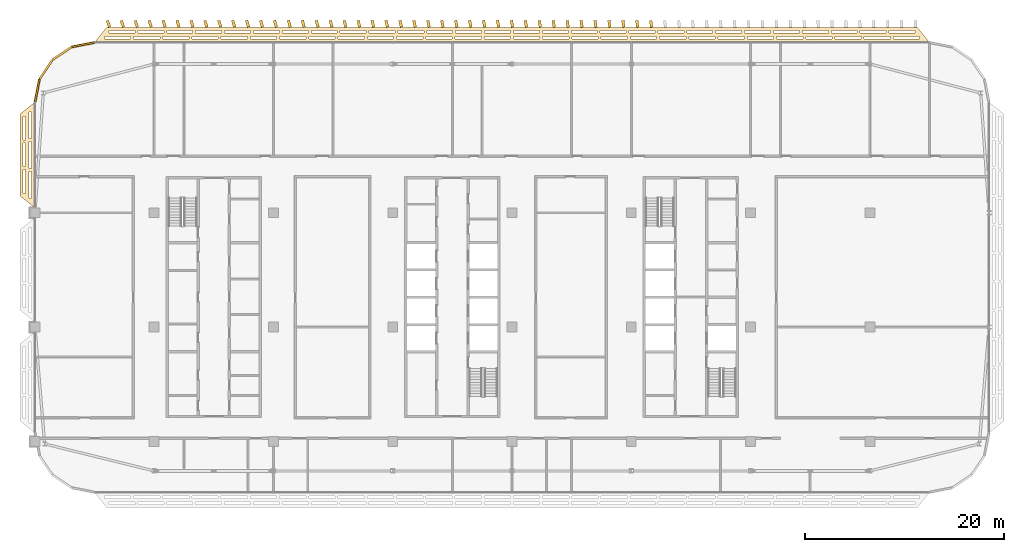
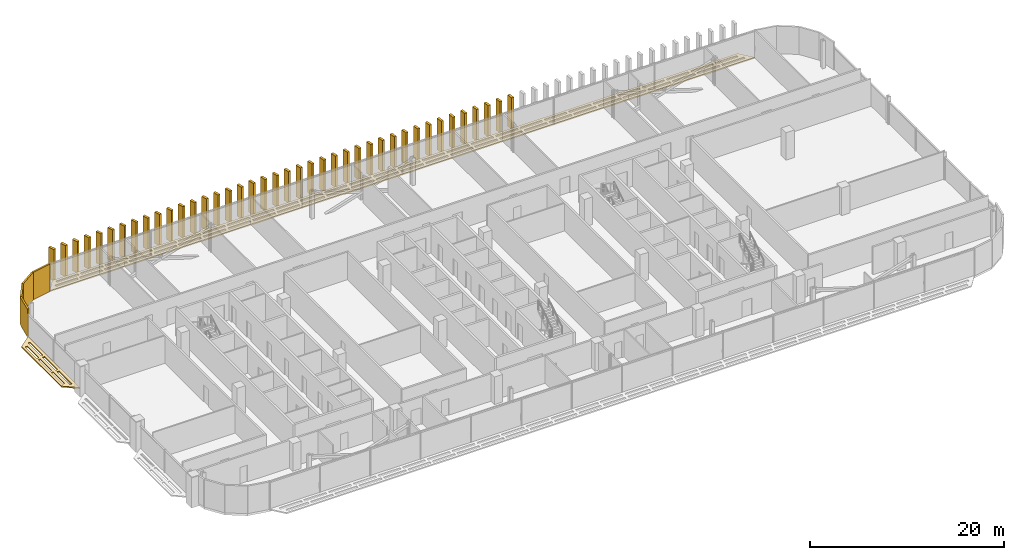
# One storey, part 30 of 32: 46 coverings.
"""IFC4 building model written with IfcOpenShell, lengths in metres."""

from ifc_helpers import new_model, si_unit, direction, frame, origin, origin_2d, place, context, subcontext, project, spatial, polyline, rectangle, outline, extrude, material, layer, layer_set, type_object, element, save


model = new_model("IFC4")

# Units and contexts
model_context = context("Model", 3, precision=1e-05, world=origin(), true_north=direction((0.0, 1.0)))
body_context = subcontext(model_context, "Body", "Model", "MODEL_VIEW")
ifc_project = project(units=[si_unit("LENGTHUNIT", "METRE"), si_unit("AREAUNIT", "SQUARE_METRE"), si_unit("VOLUMEUNIT", "CUBIC_METRE"), si_unit("PLANEANGLEUNIT", "RADIAN"), si_unit("MASSUNIT", "GRAM", prefix="KILO")], contexts=[model_context])

# Site, building, storey
site_placement = place(None, origin())
site = spatial("IfcSite", under=ifc_project, at=site_placement, CompositionType="ELEMENT")
building_placement = place(site_placement, origin())
building = spatial("IfcBuilding", under=site, at=building_placement, Name="Mahtab Terrace Research Tower", CompositionType="ELEMENT")
storey_placement = place(building_placement, frame((0.0, 0.0, 232.39990234375)))
storey = spatial("IfcBuildingStorey", under=building, at=storey_placement, Name="L56", CompositionType="ELEMENT", Elevation=232.39990234375)

# Coverings
ifc_material_1 = material(Name="Black aluminium cladding panel", Category="aluminium")
ifc_layer_1 = layer(ifc_material_1, 0.199951171875)
ifc_layer_set_1 = layer_set([ifc_layer_1], Name="Black metal corner cladding 200")
covering_type_1 = type_object("IfcCoveringType", Name="Black metal corner cladding 200", PredefinedType="CLADDING", material=ifc_layer_set_1)
for number, where, z_axis, x_axis, name in (
    (1, (-37.14794921875, 28.410400390625, 0.0), (0.0, 0.0, 1.0), (-0.980760981187, -0.195212442692, 0.0), "Corner cladding L56 4"),
    (2, (-39.26953125, 27.531982421875, 0.0), (0.0, 0.0, 1.0), (-0.831655794326, -0.555291490808, 0.0), "Corner cladding L56 5"),
    (3, (-40.89306640625, 25.908447265625, 0.0), (0.0, 0.0, 1.0), (-0.555291490808, -0.831655794326, 0.0), "Corner cladding L56 6"),
    (4, (-41.771484375, 23.787109375, 0.0), (0.0, 0.0, 1.0), (-0.195212442692, -0.980760981187, 0.0), "Corner cladding L56 7"),
):
    element("IfcCovering", number, at=place(storey_placement, frame(where, z_axis=z_axis, x_axis=x_axis)), inside=storey, type_object=covering_type_1, Name=name, PredefinedType="CLADDING", context=body_context, shape_type="SweptSolid", body=[
        extrude(rectangle(XDim=2.30126953125, YDim=0.199951171875, at=origin_2d()), origin(), (0.0, 0.0, 1.0), 3.4599609375),
    ])
ifc_material_2 = material(Name="Black anodised aluminium", Category="aluminium")
ifc_layer_2 = layer(ifc_material_2, 0.14990234375)
ifc_layer_set_2 = layer_set([ifc_layer_2], Name="Horizontal sunshade band")
covering_type_2 = type_object("IfcCoveringType", Name="Horizontal sunshade band", PredefinedType="CLADDING", material=ifc_layer_set_2)
covering_1_placement = place(storey_placement, frame((0.0, 0.0, -0.14990234375)))
element("IfcCovering", 5, at=covering_1_placement, inside=storey, type_object=covering_type_2, Name="Sunshade band L56 3", PredefinedType="CLADDING", context=body_context, shape_type="SweptSolid", body=[
    extrude(outline(polyline([(48.0, 28.638916015625), (-36.0, 28.638916015625), (-34.800048828125, 30.138916015625), (46.800048828125, 30.138916015625), (48.0, 28.638916015625)]), holes=[polyline([(47.02001953125, 28.989013671875), (44.37890625, 28.989013671875), (44.37890625, 29.239013671875), (47.02001953125, 29.239013671875), (47.02001953125, 28.989013671875)]), polyline([(44.0791015625, 28.989013671875), (41.43896484375, 28.989013671875), (41.43896484375, 29.239013671875), (44.0791015625, 29.239013671875), (44.0791015625, 28.989013671875)]), polyline([(41.138916015625, 28.989013671875), (38.498046875, 28.989013671875), (38.498046875, 29.239013671875), (41.138916015625, 29.239013671875), (41.138916015625, 28.989013671875)]), polyline([(38.197998046875, 28.989013671875), (35.556884765625, 28.989013671875), (35.556884765625, 29.239013671875), (38.197998046875, 29.239013671875), (38.197998046875, 28.989013671875)]), polyline([(35.257080078125, 28.989013671875), (32.615966796875, 28.989013671875), (32.615966796875, 29.239013671875), (35.257080078125, 29.239013671875), (35.257080078125, 28.989013671875)]), polyline([(32.31591796875, 28.989013671875), (29.676025390625, 28.989013671875), (29.676025390625, 29.239013671875), (32.31591796875, 29.239013671875), (32.31591796875, 28.989013671875)]), polyline([(29.3759765625, 28.989013671875), (26.735107421875, 28.989013671875), (26.735107421875, 29.239013671875), (29.3759765625, 29.239013671875), (29.3759765625, 28.989013671875)]), polyline([(26.43505859375, 28.989013671875), (23.7939453125, 28.989013671875), (23.7939453125, 29.239013671875), (26.43505859375, 29.239013671875), (26.43505859375, 28.989013671875)]), polyline([(23.493896484375, 28.989013671875), (20.85400390625, 28.989013671875), (20.85400390625, 29.239013671875), (23.493896484375, 29.239013671875), (23.493896484375, 28.989013671875)]), polyline([(20.553955078125, 28.989013671875), (17.9130859375, 28.989013671875), (17.9130859375, 29.239013671875), (20.553955078125, 29.239013671875), (20.553955078125, 28.989013671875)]), polyline([(17.613037109375, 28.989013671875), (14.971923828125, 28.989013671875), (14.971923828125, 29.239013671875), (17.613037109375, 29.239013671875), (17.613037109375, 28.989013671875)]), polyline([(14.672119140625, 28.989013671875), (12.031005859375, 28.989013671875), (12.031005859375, 29.239013671875), (14.672119140625, 29.239013671875), (14.672119140625, 28.989013671875)]), polyline([(11.73095703125, 28.989013671875), (9.091064453125, 28.989013671875), (9.091064453125, 29.239013671875), (11.73095703125, 29.239013671875), (11.73095703125, 28.989013671875)]), polyline([(8.791015625, 28.989013671875), (6.14990234375, 28.989013671875), (6.14990234375, 29.239013671875), (8.791015625, 29.239013671875), (8.791015625, 28.989013671875)]), polyline([(5.85009765625, 28.989013671875), (3.208984375, 28.989013671875), (3.208984375, 29.239013671875), (5.85009765625, 29.239013671875), (5.85009765625, 28.989013671875)]), polyline([(2.908935546875, 28.989013671875), (0.26904296875, 28.989013671875), (0.26904296875, 29.239013671875), (2.908935546875, 29.239013671875), (2.908935546875, 28.989013671875)]), polyline([(-0.031005859375, 28.989013671875), (-2.672119140625, 28.989013671875), (-2.672119140625, 29.239013671875), (-0.031005859375, 29.239013671875), (-0.031005859375, 28.989013671875)]), polyline([(-2.971923828125, 28.989013671875), (-5.613037109375, 28.989013671875), (-5.613037109375, 29.239013671875), (-2.971923828125, 29.239013671875), (-2.971923828125, 28.989013671875)]), polyline([(-5.9130859375, 28.989013671875), (-8.553955078125, 28.989013671875), (-8.553955078125, 29.239013671875), (-5.9130859375, 29.239013671875), (-5.9130859375, 28.989013671875)]), polyline([(-8.85400390625, 28.989013671875), (-11.493896484375, 28.989013671875), (-11.493896484375, 29.239013671875), (-8.85400390625, 29.239013671875), (-8.85400390625, 28.989013671875)]), polyline([(-11.7939453125, 28.989013671875), (-14.43505859375, 28.989013671875), (-14.43505859375, 29.239013671875), (-11.7939453125, 29.239013671875), (-11.7939453125, 28.989013671875)]), polyline([(-14.735107421875, 28.989013671875), (-17.3759765625, 28.989013671875), (-17.3759765625, 29.239013671875), (-14.735107421875, 29.239013671875), (-14.735107421875, 28.989013671875)]), polyline([(-17.676025390625, 28.989013671875), (-20.31591796875, 28.989013671875), (-20.31591796875, 29.239013671875), (-17.676025390625, 29.239013671875), (-17.676025390625, 28.989013671875)]), polyline([(-20.615966796875, 28.989013671875), (-23.257080078125, 28.989013671875), (-23.257080078125, 29.239013671875), (-20.615966796875, 29.239013671875), (-20.615966796875, 28.989013671875)]), polyline([(-23.556884765625, 28.989013671875), (-26.197998046875, 28.989013671875), (-26.197998046875, 29.239013671875), (-23.556884765625, 29.239013671875), (-23.556884765625, 28.989013671875)]), polyline([(-26.498046875, 28.989013671875), (-29.138916015625, 28.989013671875), (-29.138916015625, 29.239013671875), (-26.498046875, 29.239013671875), (-26.498046875, 28.989013671875)]), polyline([(-29.43896484375, 28.989013671875), (-32.0791015625, 28.989013671875), (-32.0791015625, 29.239013671875), (-29.43896484375, 29.239013671875), (-29.43896484375, 28.989013671875)]), polyline([(-32.37890625, 28.989013671875), (-35.02001953125, 28.989013671875), (-35.02001953125, 29.239013671875), (-32.37890625, 29.239013671875), (-32.37890625, 28.989013671875)]), polyline([(46.5400390625, 29.589111328125), (43.93408203125, 29.589111328125), (43.93408203125, 29.839111328125), (46.5400390625, 29.839111328125), (46.5400390625, 29.589111328125)]), polyline([(43.634033203125, 29.589111328125), (41.027099609375, 29.589111328125), (41.027099609375, 29.839111328125), (43.634033203125, 29.839111328125), (43.634033203125, 29.589111328125)]), polyline([(40.72705078125, 29.589111328125), (38.12109375, 29.589111328125), (38.12109375, 29.839111328125), (40.72705078125, 29.839111328125), (40.72705078125, 29.589111328125)]), polyline([(37.821044921875, 29.589111328125), (35.214111328125, 29.589111328125), (35.214111328125, 29.839111328125), (37.821044921875, 29.839111328125), (37.821044921875, 29.589111328125)]), polyline([(34.9140625, 29.589111328125), (32.30810546875, 29.589111328125), (32.30810546875, 29.839111328125), (34.9140625, 29.839111328125), (34.9140625, 29.589111328125)]), polyline([(32.008056640625, 29.589111328125), (29.40087890625, 29.589111328125), (29.40087890625, 29.839111328125), (32.008056640625, 29.839111328125), (32.008056640625, 29.589111328125)]), polyline([(29.10107421875, 29.589111328125), (26.4951171875, 29.589111328125), (26.4951171875, 29.839111328125), (29.10107421875, 29.839111328125), (29.10107421875, 29.589111328125)]), polyline([(26.195068359375, 29.589111328125), (23.589111328125, 29.589111328125), (23.589111328125, 29.839111328125), (26.195068359375, 29.839111328125), (26.195068359375, 29.589111328125)]), polyline([(23.2890625, 29.589111328125), (20.681884765625, 29.589111328125), (20.681884765625, 29.839111328125), (23.2890625, 29.839111328125), (23.2890625, 29.589111328125)]), polyline([(20.382080078125, 29.589111328125), (17.77587890625, 29.589111328125), (17.77587890625, 29.839111328125), (20.382080078125, 29.839111328125), (20.382080078125, 29.589111328125)]), polyline([(17.47607421875, 29.589111328125), (14.868896484375, 29.589111328125), (14.868896484375, 29.839111328125), (17.47607421875, 29.839111328125), (17.47607421875, 29.589111328125)]), polyline([(14.569091796875, 29.589111328125), (11.962890625, 29.589111328125), (11.962890625, 29.839111328125), (14.569091796875, 29.839111328125), (14.569091796875, 29.589111328125)]), polyline([(11.6630859375, 29.589111328125), (9.055908203125, 29.589111328125), (9.055908203125, 29.839111328125), (11.6630859375, 29.839111328125), (11.6630859375, 29.589111328125)]), polyline([(8.756103515625, 29.589111328125), (6.14990234375, 29.589111328125), (6.14990234375, 29.839111328125), (8.756103515625, 29.839111328125), (8.756103515625, 29.589111328125)]), polyline([(5.85009765625, 29.589111328125), (3.243896484375, 29.589111328125), (3.243896484375, 29.839111328125), (5.85009765625, 29.839111328125), (5.85009765625, 29.589111328125)]), polyline([(2.944091796875, 29.589111328125), (0.3369140625, 29.589111328125), (0.3369140625, 29.839111328125), (2.944091796875, 29.839111328125), (2.944091796875, 29.589111328125)]), polyline([(0.037109375, 29.589111328125), (-2.569091796875, 29.589111328125), (-2.569091796875, 29.839111328125), (0.037109375, 29.839111328125), (0.037109375, 29.589111328125)]), polyline([(-2.868896484375, 29.589111328125), (-5.47607421875, 29.589111328125), (-5.47607421875, 29.839111328125), (-2.868896484375, 29.839111328125), (-2.868896484375, 29.589111328125)]), polyline([(-5.77587890625, 29.589111328125), (-8.382080078125, 29.589111328125), (-8.382080078125, 29.839111328125), (-5.77587890625, 29.839111328125), (-5.77587890625, 29.589111328125)]), polyline([(-8.681884765625, 29.589111328125), (-11.2890625, 29.589111328125), (-11.2890625, 29.839111328125), (-8.681884765625, 29.839111328125), (-8.681884765625, 29.589111328125)]), polyline([(-11.589111328125, 29.589111328125), (-14.195068359375, 29.589111328125), (-14.195068359375, 29.839111328125), (-11.589111328125, 29.839111328125), (-11.589111328125, 29.589111328125)]), polyline([(-14.4951171875, 29.589111328125), (-17.10107421875, 29.589111328125), (-17.10107421875, 29.839111328125), (-14.4951171875, 29.839111328125), (-14.4951171875, 29.589111328125)]), polyline([(-17.40087890625, 29.589111328125), (-20.008056640625, 29.589111328125), (-20.008056640625, 29.839111328125), (-17.40087890625, 29.839111328125), (-17.40087890625, 29.589111328125)]), polyline([(-20.30810546875, 29.589111328125), (-22.9140625, 29.589111328125), (-22.9140625, 29.839111328125), (-20.30810546875, 29.839111328125), (-20.30810546875, 29.589111328125)]), polyline([(-23.214111328125, 29.589111328125), (-25.821044921875, 29.589111328125), (-25.821044921875, 29.839111328125), (-23.214111328125, 29.839111328125), (-23.214111328125, 29.589111328125)]), polyline([(-26.12109375, 29.589111328125), (-28.72705078125, 29.589111328125), (-28.72705078125, 29.839111328125), (-26.12109375, 29.839111328125), (-26.12109375, 29.589111328125)]), polyline([(-29.027099609375, 29.589111328125), (-31.634033203125, 29.589111328125), (-31.634033203125, 29.839111328125), (-29.027099609375, 29.839111328125), (-29.027099609375, 29.589111328125)]), polyline([(-31.93408203125, 29.589111328125), (-34.5400390625, 29.589111328125), (-34.5400390625, 29.839111328125), (-31.93408203125, 29.839111328125), (-31.93408203125, 29.589111328125)])]), origin(), (0.0, 0.0, 1.0), 0.14990234375),
])
covering_2_placement = place(storey_placement, frame((0.0, 0.0, -0.14990234375)))
element("IfcCovering", 6, at=covering_2_placement, inside=storey, type_object=covering_type_2, Name="Sunshade band L56 8", PredefinedType="CLADDING", context=body_context, shape_type="SweptSolid", body=[
    extrude(outline(polyline([(-42.0, 22.638916015625), (-42.0, 12.0), (-43.5, 13.199951171875), (-43.5, 21.43896484375), (-42.0, 22.638916015625)]), holes=[polyline([(-42.35009765625, 21.658935546875), (-42.35009765625, 18.966064453125), (-42.60009765625, 18.966064453125), (-42.60009765625, 21.658935546875), (-42.35009765625, 21.658935546875)]), polyline([(-42.35009765625, 18.666015625), (-42.35009765625, 15.972900390625), (-42.60009765625, 15.972900390625), (-42.60009765625, 18.666015625), (-42.35009765625, 18.666015625)]), polyline([(-42.35009765625, 15.673095703125), (-42.35009765625, 12.97998046875), (-42.60009765625, 12.97998046875), (-42.60009765625, 15.673095703125), (-42.35009765625, 15.673095703125)]), polyline([(-42.949951171875, 21.178955078125), (-42.949951171875, 18.805908203125), (-43.199951171875, 18.805908203125), (-43.199951171875, 21.178955078125), (-42.949951171875, 21.178955078125)]), polyline([(-42.949951171875, 18.506103515625), (-42.949951171875, 16.133056640625), (-43.199951171875, 16.133056640625), (-43.199951171875, 18.506103515625), (-42.949951171875, 18.506103515625)]), polyline([(-42.949951171875, 15.8330078125), (-42.949951171875, 13.4599609375), (-43.199951171875, 13.4599609375), (-43.199951171875, 15.8330078125), (-42.949951171875, 15.8330078125)])]), origin(), (0.0, 0.0, 1.0), 0.14990234375),
])
ifc_material_3 = material(Name="Bronze anodised aluminium", Category="aluminium")
ifc_layer_3 = layer(ifc_material_3, 0.1201171875)
ifc_layer_set_3 = layer_set([ifc_layer_3], Name="Vertical fin 700")
covering_type_3 = type_object("IfcCoveringType", Name="Vertical fin 700", PredefinedType="CLADDING", material=ifc_layer_set_3)
for number, where, z_axis, x_axis, name in (
    (7, (20.0, 30.5029296875, -0.14990234375), (0.0, 0.0, 1.0), (-0.993238357741, -0.116092914131, 0.0), "Fin L56 N20"),
    (8, (18.60009765625, 30.50341796875, -0.14990234375), (0.0, 0.0, 1.0), (-0.992546151641, -0.121869343405, 0.0), "Fin L56 N21"),
    (9, (17.199951171875, 30.50390625, -0.14990234375), (0.0, 0.0, 1.0), (-0.991820351542, -0.127641647855, 0.0), "Fin L56 N22"),
    (10, (15.800048828125, 30.504638671875, -0.14990234375), (0.0, 0.0, 1.0), (-0.991060982007, -0.133409632126, 0.0), "Fin L56 N23"),
    (11, (14.39990234375, 30.505126953125, -0.14990234375), (0.0, 0.0, 1.0), (-0.990268068742, -0.13917310096, 0.0), "Fin L56 N24"),
    (12, (13.0, 30.505615234375, -0.14990234375), (0.0, 0.0, 1.0), (-0.989441638582, -0.144931859301, 0.0), "Fin L56 N25"),
    (13, (11.60009765625, 30.506103515625, -0.14990234375), (0.0, 0.0, 1.0), (-0.988581719496, -0.150685712255, 0.0), "Fin L56 N26"),
    (14, (10.199951171875, 30.506591796875, -0.14990234375), (0.0, 0.0, 1.0), (-0.987688340595, -0.15643446504, 0.0), "Fin L56 N27"),
    (15, (8.800048828125, 30.507080078125, -0.14990234375), (0.0, 0.0, 1.0), (-0.986761532114, -0.1621779231, 0.0), "Fin L56 N28"),
    (16, (7.39990234375, 30.507568359375, -0.14990234375), (0.0, 0.0, 1.0), (-0.985801325417, -0.167915892057, 0.0), "Fin L56 N29"),
    (17, (6.0, 30.508056640625, -0.14990234375), (0.0, 0.0, 1.0), (-0.984807753012, -0.173648177667, 0.0), "Fin L56 N30"),
    (18, (4.60009765625, 30.508544921875, -0.14990234375), (0.0, 0.0, 1.0), (-0.983780848524, -0.179374585932, 0.0), "Fin L56 N31"),
    (19, (3.199951171875, 30.5087890625, -0.14990234375), (0.0, 0.0, 1.0), (-0.982720646705, -0.18509492305, 0.0), "Fin L56 N32"),
    (20, (1.800048828125, 30.50927734375, -0.14990234375), (0.0, 0.0, 1.0), (-0.981627183448, -0.190808995377, 0.0), "Fin L56 N33"),
    (21, (0.39990234375, 30.509765625, -0.14990234375), (0.0, 0.0, 1.0), (-0.980500495757, -0.196516609527, 0.0), "Fin L56 N34"),
    (22, (-1.0, 30.510009765625, -0.14990234375), (0.0, 0.0, 1.0), (-0.979340621764, -0.202217572338, 0.0), "Fin L56 N35"),
    (23, (-2.39990234375, 30.510498046875, -0.14990234375), (0.0, 0.0, 1.0), (-0.978147600734, -0.207911690818, 0.0), "Fin L56 N36"),
    (24, (-3.800048828125, 30.5107421875, -0.14990234375), (0.0, 0.0, 1.0), (-0.976921473041, -0.21359877226, 0.0), "Fin L56 N37"),
    (25, (-5.199951171875, 30.51123046875, -0.14990234375), (0.0, 0.0, 1.0), (-0.975662280183, -0.219278624194, 0.0), "Fin L56 N38"),
    (26, (-6.60009765625, 30.511474609375, -0.14990234375), (0.0, 0.0, 1.0), (-0.974370064785, -0.224951054344, 0.0), "Fin L56 N39"),
    (27, (-8.0, 30.511962890625, -0.14990234375), (0.0, 0.0, 1.0), (-0.973044870581, -0.230615870737, 0.0), "Fin L56 N40"),
    (28, (-9.39990234375, 30.51220703125, -0.14990234375), (0.0, 0.0, 1.0), (-0.97168674242, -0.236272881656, 0.0), "Fin L56 N41"),
    (29, (-10.800048828125, 30.512451171875, -0.14990234375), (0.0, 0.0, 1.0), (-0.970295726276, -0.2419218956, 0.0), "Fin L56 N42"),
    (30, (-12.199951171875, 30.5126953125, -0.14990234375), (0.0, 0.0, 1.0), (-0.968871869227, -0.247562721386, 0.0), "Fin L56 N43"),
    (31, (-13.60009765625, 30.512939453125, -0.14990234375), (0.0, 0.0, 1.0), (-0.967415219461, -0.25319516811, 0.0), "Fin L56 N44"),
    (32, (-15.0, 30.513427734375, -0.14990234375), (0.0, 0.0, 1.0), (-0.965925826289, -0.258819045103, 0.0), "Fin L56 N45"),
    (33, (-16.39990234375, 30.513671875, -0.14990234375), (0.0, 0.0, 1.0), (-0.964403740116, -0.264434162032, 0.0), "Fin L56 N46"),
    (34, (-17.800048828125, 30.513916015625, -0.14990234375), (0.0, 0.0, 1.0), (-0.962849012456, -0.270040328864, 0.0), "Fin L56 N47"),
    (35, (-19.199951171875, 30.513916015625, -0.14990234375), (0.0, 0.0, 1.0), (-0.961261695938, -0.275637355817, 0.0), "Fin L56 N48"),
    (36, (-20.60009765625, 30.51416015625, -0.14990234375), (0.0, 0.0, 1.0), (-0.959641844284, -0.28122505347, 0.0), "Fin L56 N49"),
    (37, (-22.0, 30.514404296875, -0.14990234375), (0.0, 0.0, 1.0), (-0.957989512314, -0.286803232717, 0.0), "Fin L56 N50"),
    (38, (-23.39990234375, 30.5146484375, -0.14990234375), (0.0, 0.0, 1.0), (-0.956304755963, -0.292371704723, 0.0), "Fin L56 N51"),
    (39, (-24.800048828125, 30.514892578125, -0.14990234375), (0.0, 0.0, 1.0), (-0.954587632249, -0.297930281033, 0.0), "Fin L56 N52"),
    (40, (-26.199951171875, 30.514892578125, -0.14990234375), (0.0, 0.0, 1.0), (-0.952838199286, -0.303478773527, 0.0), "Fin L56 N53"),
    (41, (-27.60009765625, 30.51513671875, -0.14990234375), (0.0, 0.0, 1.0), (-0.951056516295, -0.309016994375, 0.0), "Fin L56 N54"),
    (42, (-29.0, 30.515380859375, -0.14990234375), (0.0, 0.0, 1.0), (-0.949242643575, -0.314544756146, 0.0), "Fin L56 N55"),
    (43, (-30.39990234375, 30.515380859375, -0.14990234375), (0.0, 0.0, 1.0), (-0.947396642512, -0.320061871762, 0.0), "Fin L56 N56"),
    (44, (-31.800048828125, 30.515625, -0.14990234375), (0.0, 0.0, 1.0), (-0.945518575599, -0.325568154457, 0.0), "Fin L56 N57"),
    (45, (-33.199951171875, 30.515625, -0.14990234375), (0.0, 0.0, 1.0), (-0.943608506396, -0.331063417879, 0.0), "Fin L56 N58"),
    (46, (-34.60009765625, 30.515625, -0.14990234375), (0.0, 0.0, 1.0), (-0.941666499544, -0.336547476052, 0.0), "Fin L56 N59"),
):
    element("IfcCovering", number, at=place(storey_placement, frame(where, z_axis=z_axis, x_axis=x_axis)), inside=storey, type_object=covering_type_3, Name=name, PredefinedType="CLADDING", context=body_context, shape_type="SweptSolid", body=[
        extrude(rectangle(XDim=0.280029296875, YDim=0.699951171875, at=origin_2d()), origin(), (0.0, 0.0, 1.0), 3.949951171875),
    ])

save(model, "model.ifc")
